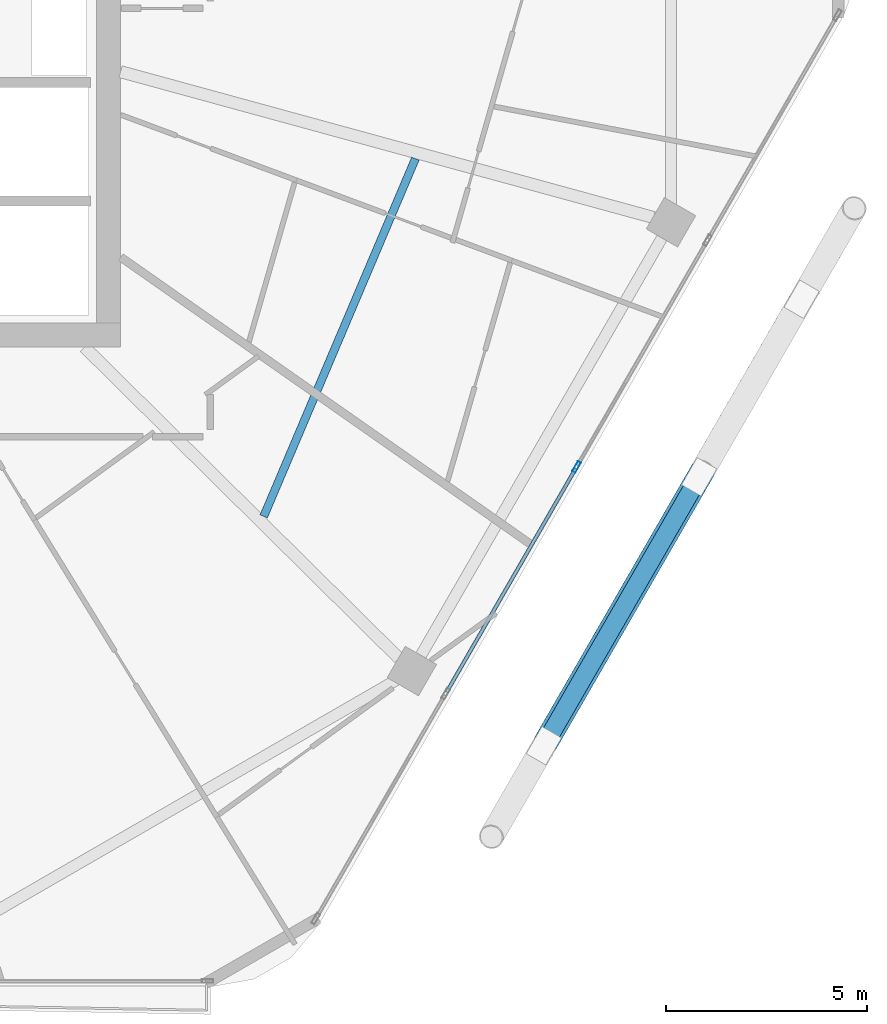
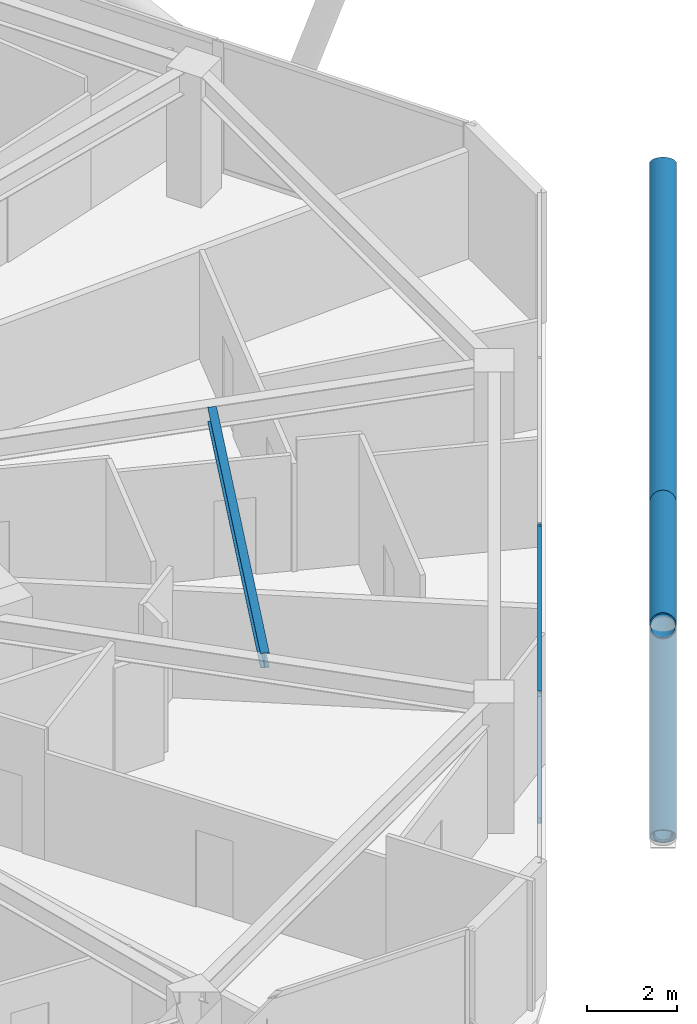
# One storey, part 9 of 28: 6 members, 1 beam, 1 element without a shape of its own.
"""IFC4 building model written with IfcOpenShell, lengths in metres."""

from ifc_helpers import new_model, si_unit, direction, frame, origin, origin_2d, place, context, subcontext, project, spatial, hollow_rectangle, hollow_circle, i_section, extrude, material, material_profile, profile_set, type_object, element, aggregate, save


model = new_model("IFC4")

# Units and contexts
model_context = context("Model", 3, precision=1e-05, world=origin(), true_north=direction((0.0, 1.0)))
body_context = subcontext(model_context, "Body", "Model", "MODEL_VIEW")
ifc_project = project(units=[si_unit("LENGTHUNIT", "METRE"), si_unit("AREAUNIT", "SQUARE_METRE"), si_unit("VOLUMEUNIT", "CUBIC_METRE"), si_unit("PLANEANGLEUNIT", "RADIAN"), si_unit("MASSUNIT", "GRAM", prefix="KILO")], contexts=[model_context])

# Site, building, storey
site_placement = place(None, origin())
site = spatial("IfcSite", under=ifc_project, at=site_placement, CompositionType="ELEMENT")
building_placement = place(site_placement, origin())
building = spatial("IfcBuilding", under=site, at=building_placement, Name="Zuhravey Tower", CompositionType="ELEMENT")
storey_placement = place(building_placement, frame((0.0, 0.0, 254.0)))
storey = spatial("IfcBuildingStorey", under=building, at=storey_placement, Name="L64", CompositionType="ELEMENT", Elevation=254.0)

# Curtain wall, members
ifc_material_1 = material(Name="Thermally broken anodised aluminium", Category="aluminium")
curtain_wall_type = type_object("IfcCurtainWallType", Name="Zone 3-4 High-Rise Curtain Wall CW4", PredefinedType="NOTDEFINED", material=ifc_material_1)
curtain_wall_placement = place(storey_placement, origin())
curtain_wall = element("IfcCurtainWall", 1, at=curtain_wall_placement, inside=storey, type_object=curtain_wall_type, Name="L64 CW4 CW-L64-F6-1", PredefinedType="NOTDEFINED")
ifc_material_2 = material(Name="Anodised aluminium", Category="aluminium")
ifc_material_profile_1 = material_profile(ifc_material_2, hollow_rectangle(XDim=0.090087890625, YDim=0.284912109375, WallThickness=0.0048828125, at=origin_2d()), Name="ALU-RHS-90x285x5")
ifc_profile_set_1 = profile_set([ifc_material_profile_1], Name="Anodised aluminium")
member_type_1 = type_object("IfcMemberType", Name="Curtain-Wall Mullion 90x180", PredefinedType="MULLION", material=ifc_profile_set_1)
member_1_placement = place(storey_placement, frame((58.138671875, 19.21826171875, 0.0), z_axis=(0.0, 0.0, 1.0), x_axis=(0.866024851021, -0.500000957414, 0.0)))
member_1 = element("IfcMember", 2, at=member_1_placement, type_object=member_type_1, Name="CW4 mullion 3", PredefinedType="MULLION", context=body_context, shape_type="SweptSolid", body=[
    extrude(hollow_rectangle(XDim=0.090087890625, YDim=0.284912109375, WallThickness=0.0048828125, at=origin_2d()), origin(), (0.0, 0.0, 1.0), 3.550048828125),
])
ifc_material_profile_2 = material_profile(ifc_material_2, hollow_rectangle(XDim=0.090087890625, YDim=0.14990234375, WallThickness=0.0048828125, at=origin_2d()), Name="ALU-RHS-90x150x5")
ifc_profile_set_2 = profile_set([ifc_material_profile_2], Name="Anodised aluminium")
member_type_2 = type_object("IfcMemberType", Name="Curtain-Wall Transom 90x150", PredefinedType="USERDEFINED", material=ifc_profile_set_2)
member_2_placement = place(storey_placement, frame((58.1162109375, 19.17919921875, 0.044921875), z_axis=(-0.500014493347, -0.866017035885, 0.0), x_axis=(0.866017035885, -0.500014493347, 0.0)))
member_2 = element("IfcMember", 3, at=member_2_placement, type_object=member_type_2, Name="CW4 transom 3.1", ObjectType="TRANSOM", PredefinedType="USERDEFINED", context=body_context, shape_type="SweptSolid", body=[
    extrude(hollow_rectangle(XDim=0.090087890625, YDim=0.14990234375, WallThickness=0.0048828125, at=origin_2d()), origin(), (0.0, 0.0, 1.0), 6.416259765625),
])
member_3_placement = place(storey_placement, frame((58.1162109375, 19.17919921875, 3.5048828125), z_axis=(-0.500014493347, -0.866017035885, 0.0), x_axis=(0.866017035885, -0.500014493347, 0.0)))
member_3 = element("IfcMember", 4, at=member_3_placement, type_object=member_type_2, Name="CW4 transom 3.2", ObjectType="TRANSOM", PredefinedType="USERDEFINED", context=body_context, shape_type="SweptSolid", body=[
    extrude(hollow_rectangle(XDim=0.090087890625, YDim=0.14990234375, WallThickness=0.0048828125, at=origin_2d()), origin(), (0.0, 0.0, 1.0), 6.416259765625),
])
aggregate(curtain_wall, [member_1, member_2, member_3])

# Members
ifc_material_3 = material(Name="Steel SM355", Category="steel")
ifc_material_profile_3 = material_profile(ifc_material_3, hollow_circle(Radius=0.228515625, WallThickness=0.02197265625, at=origin_2d()), Name="CHS-457.2x22")
ifc_profile_set_3 = profile_set([ifc_material_profile_3], Name="Steel SM355")
member_type_3 = type_object("IfcMemberType", Name="Exoskeleton Ring Tie CHS457x22", PredefinedType="CHORD", material=ifc_profile_set_3)
member_4_placement = place(storey_placement, frame((57.39501953125, 12.41015625, -0.464111328125), z_axis=(0.50000793057, 0.866020825019, 0.0), x_axis=(-0.866020825019, 0.50000793057, 0.0)))
element("IfcMember", 5, at=member_4_placement, inside=storey, type_object=member_type_3, Name="L64 Exoskeleton Face 6 Tie EXR1", PredefinedType="CHORD", context=body_context, shape_type="SweptSolid", body=[
    extrude(hollow_circle(Radius=0.228515625, WallThickness=0.02197265625, at=origin_2d()), origin(), (0.0, 0.0, 1.0), 12.535400390625),
])
ifc_material_profile_4 = material_profile(ifc_material_3, hollow_circle(Radius=0.3046875, WallThickness=0.028076171875, at=origin_2d()), Name="CHS-609.6x28")
ifc_profile_set_4 = profile_set([ifc_material_profile_4], Name="Steel SM355")
member_type_4 = type_object("IfcMemberType", Name="Exoskeleton Zone 3 Diagrid CHS610x28", PredefinedType="BRACE", material=ifc_profile_set_4)
member_5_placement = place(storey_placement, frame((57.34326171875, 12.320556640625, -0.446044921875), z_axis=(0.44858715889, 0.776961798354, 0.441701171357), x_axis=(-0.866021515814, 0.500006734102, 0.0)))
element("IfcMember", 6, at=member_5_placement, inside=storey, type_object=member_type_4, Name="L64 Face 6 Diagrid Brace 2", PredefinedType="BRACE", context=body_context, shape_type="SweptSolid", body=[
    extrude(hollow_circle(Radius=0.3046875, WallThickness=0.028076171875, at=origin_2d()), origin(), (0.0, 0.0, 1.0), 17.12451171875),
])
member_6_placement = place(storey_placement, frame((61.0458984375, 18.7333984375, 3.437744140625), z_axis=(-0.469309986719, -0.812868671103, 0.344953127111), x_axis=(0.866025385035, -0.500000032475, 0.0)))
element("IfcMember", 7, at=member_6_placement, inside=storey, type_object=member_type_4, Name="L64 Face 6 Split Diagrid Brace 3B", PredefinedType="BRACE", context=body_context, shape_type="SweptSolid", body=[
    extrude(hollow_circle(Radius=0.3046875, WallThickness=0.028076171875, at=origin_2d()), origin(), (0.0, 0.0, 1.0), 10.679931640625),
])

# Beam
ifc_material_profile_5 = material_profile(ifc_material_3, i_section(OverallWidth=0.199951171875, OverallDepth=0.39990234375, WebThickness=0.008056640625, FlangeThickness=0.012939453125, at=origin_2d()), Name="H-400x200x8x13")
ifc_profile_set_5 = profile_set([ifc_material_profile_5], Name="Steel SM355")
beam_type = type_object("IfcBeamType", Name="Secondary Floor Joist H400x200", PredefinedType="JOIST", material=ifc_profile_set_5)
beam_placement = place(storey_placement, frame((50.36083984375, 17.990966796875, 3.35009765625), z_axis=(0.390413493754, 0.920639616731, 0.0), x_axis=(-0.920639616731, 0.390413493754, 0.0)))
element("IfcBeam", 8, at=beam_placement, inside=storey, type_object=beam_type, Name="L64 SJ2 BM-L64-SJ-11-1", PredefinedType="JOIST", context=body_context, shape_type="SweptSolid", body=[
    extrude(i_section(OverallWidth=0.199951171875, OverallDepth=0.39990234375, WebThickness=0.008056640625, FlangeThickness=0.012939453125, at=origin_2d()), origin(), (0.0, 0.0, 1.0), 9.656494140625),
])

save(model, "model.ifc")
